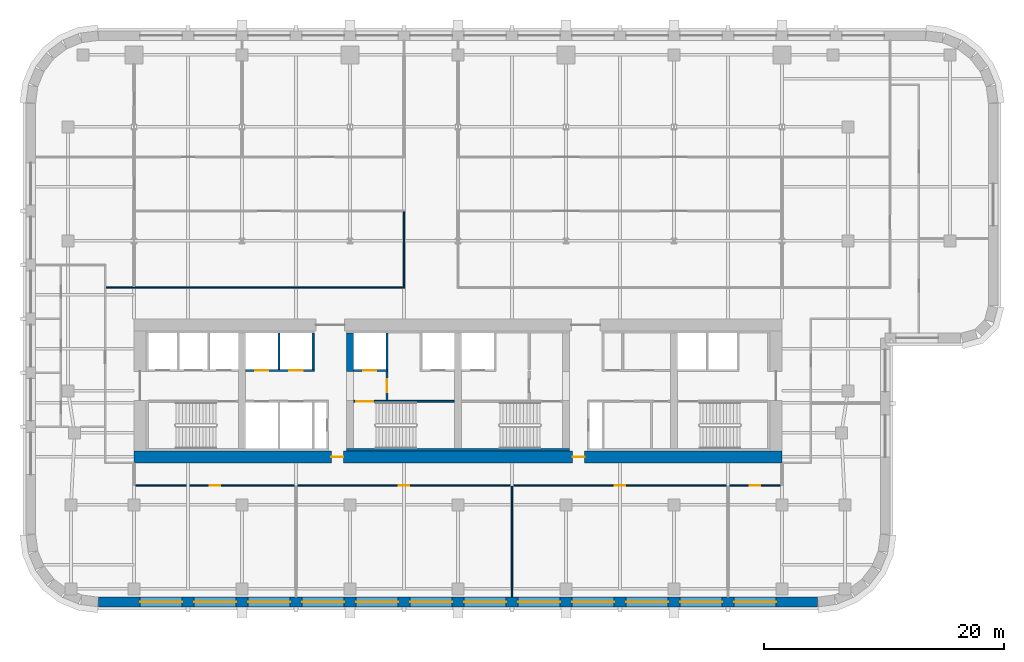
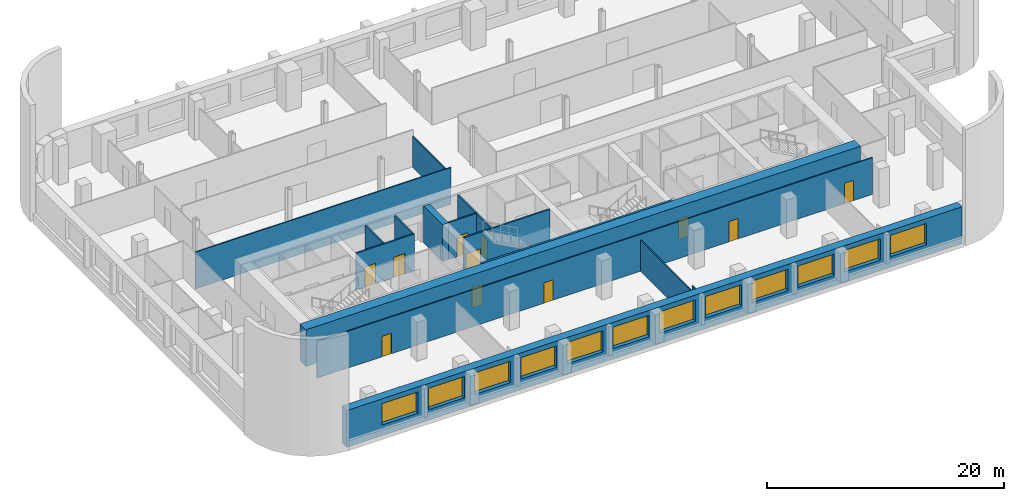
# One storey, part 4 of 10: 16 walls, 12 windows, 11 doors, 23 openings.
"""IFC4 building model written with IfcOpenShell, lengths in metres."""

import ifcopenshell
import ifcopenshell.guid

model = None  # the IFC model being written
_history = None  # IfcOwnerHistory: only IFC2X3 demands one
_inside = {}  # id of a spatial element -> (the spatial element, [elements in it])
_under = {}  # id of a project, library or spatial element -> (it, [spatial elements below it])
_declared = {}  # id of a project -> (the project, [libraries it declares])
_typed = {}  # id of a type object -> (the type object, [elements of that type])
_made_of = {}  # id of a material, layer set ... -> (it, [elements and type objects made of it])


def new_model(schema):
    """Start an empty IFC model of exactly this schema.

    Asked for "IFC4X3", IfcOpenShell would pick the latest addendum, in which some entities
    have other attributes; the version numbers below select the first issue.
    IFC2X3 requires an IfcOwnerHistory on every rooted entity: one is made here for all.
    """
    global model, _history
    if schema == "IFC4X3":
        model = ifcopenshell.file(schema_version=(4, 3, 0, 0))
    else:
        model = ifcopenshell.file(schema=schema)
    _inside.clear()
    _under.clear()
    _declared.clear()
    _typed.clear()
    _made_of.clear()
    _history = None
    if model.schema == "IFC2X3":
        org = make("IfcOrganization", Name="unknown")
        user = make(
            "IfcPersonAndOrganization",
            ThePerson=make("IfcPerson", FamilyName="unknown"),
            TheOrganization=org,
        )
        app = make(
            "IfcApplication",
            ApplicationDeveloper=org,
            Version="unknown",
            ApplicationFullName="unknown",
            ApplicationIdentifier="unknown",
        )
        _history = make(
            "IfcOwnerHistory",
            OwningUser=user,
            OwningApplication=app,
            ChangeAction="ADDED",
            CreationDate=0,
        )
    return model


def make(cls, **values):
    """One entity of the class cls with the attributes given. An attribute that is None is left unset."""
    return model.create_entity(
        cls, **{name: value for name, value in values.items() if value is not None}
    )


def rooted(cls, **values):
    """An entity with a GlobalId (a new one), such as an element, a storey or a relation."""
    return make(cls, GlobalId=ifcopenshell.guid.new(), OwnerHistory=_history, **values)


def si_unit(unit_type, name, prefix=None):
    """IfcSIUnit, for example si_unit("LENGTHUNIT", "METRE", prefix="MILLI")."""
    return make("IfcSIUnit", UnitType=unit_type, Prefix=prefix, Name=name)


def assignment(units):
    """IfcUnitAssignment: the units of a project."""
    return None if units is None else make("IfcUnitAssignment", Units=units)


def point(xyz):
    """IfcCartesianPoint."""
    return None if xyz is None else make("IfcCartesianPoint", Coordinates=xyz)


def direction(xyz):
    """IfcDirection."""
    return None if xyz is None else make("IfcDirection", DirectionRatios=xyz)


def frame(location, z_axis=None, x_axis=None):
    """IfcAxis2Placement3D, a coordinate frame: its origin and axes. An axis left out is left unset."""
    return make(
        "IfcAxis2Placement3D",
        Location=point(location),
        Axis=direction(z_axis),
        RefDirection=direction(x_axis),
    )


def frame_2d(location, x_axis=None):
    """IfcAxis2Placement2D, a coordinate frame in the plane: its origin and x axis."""
    return make(
        "IfcAxis2Placement2D", Location=point(location), RefDirection=direction(x_axis)
    )


def origin():
    """The frame at (0, 0, 0) with its axes left unset."""
    return frame((0.0, 0.0, 0.0))


def place(relative_to, where):
    """IfcLocalPlacement: puts the frame where relative to a parent placement (None: the world)."""
    return make(
        "IfcLocalPlacement", PlacementRelTo=relative_to, RelativePlacement=where
    )


def context(
    kind, dimensions, precision=None, world=None, true_north=None, identifier=None
):
    """IfcGeometricRepresentationContext, for example the 3D "Model" context."""
    return make(
        "IfcGeometricRepresentationContext",
        ContextIdentifier=identifier,
        ContextType=kind,
        CoordinateSpaceDimension=dimensions,
        Precision=precision,
        WorldCoordinateSystem=world,
        TrueNorth=true_north,
    )


def subcontext(parent, identifier, kind, view, scale=None):
    """IfcGeometricRepresentationSubContext, for example "Body" below "Model"."""
    return make(
        "IfcGeometricRepresentationSubContext",
        ContextIdentifier=identifier,
        ContextType=kind,
        ParentContext=parent,
        TargetScale=scale,
        TargetView=view,
    )


def project(units=None, contexts=None):
    """IfcProject with its units and contexts."""
    return rooted(
        "IfcProject",
        Name="project",
        RepresentationContexts=contexts,
        UnitsInContext=assignment(units),
    )


def spatial(cls, under=None, at=None, **own):
    """A site, building, storey or space (cls), placed at a placement, below another one or the project."""
    s = rooted(cls, ObjectPlacement=at, **own)
    if under is not None:
        _under.setdefault(under.id(), (under, []))[1].append(s)
    return s


def profile(cls, at=None, kind="AREA", **sizes):
    """A parametric profile (cls). Its sizes go by their IFC names, for example OverallWidth=200.0."""
    return make(cls, ProfileType=kind, Position=at, **sizes)


def rectangle(**sizes):
    """IfcRectangleProfileDef."""
    return profile("IfcRectangleProfileDef", **sizes)


def extrude(swept, where, along, depth):
    """IfcExtrudedAreaSolid: the profile swept, set in the frame where, extruded along a direction by depth."""
    return make(
        "IfcExtrudedAreaSolid",
        SweptArea=swept,
        Position=where,
        ExtrudedDirection=direction(along),
        Depth=depth,
    )


def shape(context_of_items, identifier, shape_type, items):
    """IfcShapeRepresentation: the items that make up one representation, for example the "Body"."""
    return make(
        "IfcShapeRepresentation",
        ContextOfItems=context_of_items,
        RepresentationIdentifier=identifier,
        RepresentationType=shape_type,
        Items=items,
    )


def material(Name=None, Category=None):
    """IfcMaterial."""
    return make("IfcMaterial", Name=Name, Category=Category)


def layer(
    of_material, thickness, ventilated=None, Name=None, Category=None, Priority=None
):
    """IfcMaterialLayer: one layer of a wall or slab, of a material (None: an air gap)."""
    return make(
        "IfcMaterialLayer",
        Material=of_material,
        LayerThickness=thickness,
        IsVentilated=ventilated,
        Name=Name,
        Category=Category,
        Priority=Priority,
    )


def layer_set(layers, Name=None):
    """IfcMaterialLayerSet."""
    return make("IfcMaterialLayerSet", MaterialLayers=layers, LayerSetName=Name)


def made_of(thing, what):
    """Note that an element or type object is made of a material, layer set ...; save() writes the relation."""
    if what is not None:
        _made_of.setdefault(what.id(), (what, []))[1].append(thing)
    return thing


def type_object(cls, material=None, **own):
    """A type object (cls), such as IfcWallType, which elements share."""
    return made_of(rooted(cls, **own), material)


def element(
    cls,
    number,
    at=None,
    inside=None,
    cuts=None,
    type_object=None,
    material=None,
    context=None,
    identifier="Body",
    shape_type=None,
    held_by="IfcProductDefinitionShape",
    body=None,
    shapes=None,
    **own,
):
    """One element of the class cls, such as IfcWall. Its Tag is "e" and its number.

    at: its placement. inside: the storey or other place that contains it. cuts: it is an
    opening in that element (IfcRelVoidsElement). A single representation is given by context,
    identifier, shape_type and body (its items); several are given by shapes. held_by: the class
    of the entity that holds the representations. save() writes the other relations.
    """
    e = rooted(cls, Tag="e%d" % number, ObjectPlacement=at, **own)
    if body is not None:
        shapes = [shape(context, identifier, shape_type, body)]
    if shapes is not None:
        e.Representation = make(held_by, Representations=shapes)
    if inside is not None:
        _inside.setdefault(inside.id(), (inside, []))[1].append(e)
    if cuts is not None:
        rooted(
            "IfcRelVoidsElement", RelatingBuildingElement=cuts, RelatedOpeningElement=e
        )
    if type_object is not None:
        _typed.setdefault(type_object.id(), (type_object, []))[1].append(e)
    return made_of(e, material)


def fill(opening, filler):
    """IfcRelFillsElement: the door or window that sits in an opening."""
    return rooted(
        "IfcRelFillsElement",
        RelatingOpeningElement=opening,
        RelatedBuildingElement=filler,
    )


def aggregate(whole, parts):
    """IfcRelAggregates: a whole, such as a stair, and the parts it consists of."""
    return rooted("IfcRelAggregates", RelatingObject=whole, RelatedObjects=parts)


def save(model, path):
    """Write the relations noted so far, then the file.

    IfcRelAggregates (storeys below a building ...), IfcRelContainedInSpatialStructure (elements
    in a storey), IfcRelDefinesByType, IfcRelAssociatesMaterial and IfcRelDeclares: one each for
    every whole, place, type object, material and project.
    """
    for whole, parts in _under.values():
        aggregate(whole, parts)
    for where, things in _inside.values():
        rooted(
            "IfcRelContainedInSpatialStructure",
            RelatedElements=things,
            RelatingStructure=where,
        )
    for kind, things in _typed.values():
        rooted("IfcRelDefinesByType", RelatedObjects=things, RelatingType=kind)
    for what, things in _made_of.values():
        rooted("IfcRelAssociatesMaterial", RelatedObjects=things, RelatingMaterial=what)
    for by, libraries in _declared.values():
        rooted("IfcRelDeclares", RelatingContext=by, RelatedDefinitions=libraries)
    model.write(path)


model = new_model("IFC4")

# Units and contexts
model_context = context("Model", 3, precision=1e-05, world=origin(), true_north=direction((0.0, 1.0)))
body_context = subcontext(model_context, "Body", "Model", "MODEL_VIEW")
ifc_project = project(units=[si_unit("LENGTHUNIT", "METRE"), si_unit("AREAUNIT", "SQUARE_METRE"), si_unit("VOLUMEUNIT", "CUBIC_METRE"), si_unit("PLANEANGLEUNIT", "RADIAN"), si_unit("MASSUNIT", "GRAM", prefix="KILO")], contexts=[model_context])

# Site, building, storey
site_placement = place(None, origin())
site = spatial("IfcSite", under=ifc_project, at=site_placement, CompositionType="ELEMENT")
building_placement = place(site_placement, origin())
building = spatial("IfcBuilding", under=site, at=building_placement, Name="Zellij Exchange Tower", CompositionType="ELEMENT")
storey_placement = place(building_placement, frame((0.0, 0.0, 120.5)))
storey = spatial("IfcBuildingStorey", under=building, at=storey_placement, Name="L26", CompositionType="ELEMENT", Elevation=120.5)

# Walls
ifc_material_1 = material(Name="Concrete C70/85", Category="concrete")
ifc_layer_1 = layer(ifc_material_1, 0.60009765625)
ifc_layer_set_1 = layer_set([ifc_layer_1], Name="Concrete C70/85")
wall_type_1 = type_object("IfcWallType", Name="CORE-CW 600 C70/85", PredefinedType="SHEAR", material=ifc_layer_set_1)
wall_1_placement = place(storey_placement, frame((-9.0, -6.375, 0.0), z_axis=(0.0, 0.0, 1.0), x_axis=(0.0, 1.0, 0.0)))
element("IfcWall", 1, at=wall_1_placement, inside=storey, type_object=wall_type_1, Name="Core cross wall pier x -9 b L26", PredefinedType="SHEAR", context=body_context, shape_type="SweptSolid", body=[
    extrude(rectangle(XDim=3.175048828125, YDim=0.60009765625, at=frame_2d((1.58740234375, 0.0))), origin(), (0.0, 0.0, 1.0), 3.800048828125),
])
ifc_material_2 = material(Name="Concrete C30/37", Category="concrete")
ifc_layer_2 = layer(ifc_material_2, 0.199951171875)
ifc_layer_set_2 = layer_set([ifc_layer_2], Name="Concrete C30/37")
wall_type_2 = type_object("IfcWallType", Name="CORE-LW 200 C30/37", PredefinedType="SHEAR", material=ifc_layer_set_2)
wall_2_placement = place(storey_placement, frame((-9.300048828125, -12.89990234375, 0.0), z_axis=(0.0, 0.0, 1.0), x_axis=(1.0, 0.0, 0.0)))
element("IfcWall", 2, at=wall_2_placement, inside=storey, type_object=wall_type_2, Name="Core wall lining rear.1 L26", PredefinedType="SHEAR", context=body_context, shape_type="SweptSolid", body=[
    extrude(rectangle(XDim=18.60009765625, YDim=0.199951171875, at=frame_2d((9.300048828125, 0.0))), origin(), (0.0, 0.0, 1.0), 3.800048828125),
])

# Wall, opening, door
ifc_material_3 = material(Name="Gypsum shaft wall system")
ifc_layer_3 = layer(ifc_material_3, 0.14990234375)
ifc_layer_set_3 = layer_set([ifc_layer_3], Name="Gypsum shaft wall system")
wall_type_3 = type_object("IfcWallType", Name="CORE-PW 150 Firefighting lobby wall", PredefinedType="PARTITIONING", material=ifc_layer_set_3)
wall_3_placement = place(storey_placement, frame((-5.925048828125, -8.800048828125, 0.0), z_axis=(0.0, 0.0, 1.0), x_axis=(0.0, 1.0, 0.0)))
wall_3 = element("IfcWall", 3, at=wall_3_placement, inside=storey, type_object=wall_type_3, Name="Firefighting lobby wall L26", PredefinedType="PARTITIONING", context=body_context, shape_type="SweptSolid", body=[
    extrude(rectangle(XDim=2.425048828125, YDim=0.14990234375, at=frame_2d((1.21240234375, 0.0))), origin(), (0.0, 0.0, 1.0), 3.800048828125),
])
opening_1_placement = place(wall_3_placement, frame((0.662109375, 0.0, 0.0)))
opening_1 = element("IfcOpeningElement", 4, at=opening_1_placement, cuts=wall_3, Name="Opening CA-14.15", PredefinedType="OPENING", context=body_context, shape_type="SweptSolid", body=[
    extrude(rectangle(XDim=1.10009765625, YDim=2.10009765625, at=frame_2d((0.550048828125, 1.050048828125))), frame((0.0, 0.0869140625, 0.0), z_axis=(0.0, -1.0, 0.0), x_axis=(1.0, 0.0, 0.0)), (0.0, 0.0, 1.0), 0.173828125),
])
ifc_material_4 = material(Name="Hollow metal fire door")
door_type_1 = type_object("IfcDoorType", Name="CORE-D F Firefighting lobby door 1100x2100 1 HR", OperationType="NOTDEFINED", PredefinedType="DOOR", material=ifc_material_4)
door_1_placement = place(opening_1_placement, origin())
door_1 = element("IfcDoor", 5, at=door_1_placement, inside=storey, type_object=door_type_1, Name="Firefighting lobby door CA-14.15", OperationType="SINGLE_SWING_LEFT", OverallHeight=2.10009765625, OverallWidth=1.10009765625, PredefinedType="DOOR", context=body_context, shape_type="SweptSolid", body=[
    extrude(rectangle(XDim=1.10009765625, YDim=2.10009765625, at=frame_2d((0.550048828125, 1.050048828125))), frame((0.0, 0.02490234375, 0.0), z_axis=(0.0, -1.0, 0.0), x_axis=(1.0, 0.0, 0.0)), (0.0, 0.0, 1.0), 0.050048828125),
])
fill(opening_1, door_1)

# Walls
ifc_layer_4 = layer(ifc_material_3, 0.14990234375)
ifc_layer_set_4 = layer_set([ifc_layer_4], Name="Gypsum shaft wall system")
wall_type_4 = type_object("IfcWallType", Name="CORE-PW 150 Lift shaft wall", PredefinedType="PARTITIONING", material=ifc_layer_set_4)
for number, where, z_axis, x_axis, name in (
    (6, (-12.074951171875, -6.22509765625, 0.0), (0.0, 0.0, 1.0), (0.0, 1.0, 0.0), "Lift shaft wall L26"),
    (7, (-14.925048828125, -6.22509765625, 0.0), (0.0, 0.0, 1.0), (0.0, 1.0, 0.0), "Lift shaft wall L26"),
    (8, (-5.925048828125, -6.22509765625, 0.0), (0.0, 0.0, 1.0), (0.0, 1.0, 0.0), "Lift shaft wall L26"),
):
    element("IfcWall", number, at=place(storey_placement, frame(where, z_axis=z_axis, x_axis=x_axis)), inside=storey, type_object=wall_type_4, Name=name, PredefinedType="PARTITIONING", context=body_context, shape_type="SweptSolid", body=[
        extrude(rectangle(XDim=3.025146484375, YDim=0.14990234375, at=frame_2d((1.5126953125, 0.0))), origin(), (0.0, 0.0, 1.0), 3.800048828125),
    ])

# Wall, openings, doors
wall_4_placement = place(storey_placement, frame((-17.699951171875, -6.300048828125, 0.0), z_axis=(0.0, 0.0, 1.0), x_axis=(1.0, 0.0, 0.0)))
wall_4 = element("IfcWall", 9, at=wall_4_placement, inside=storey, type_object=wall_type_4, Name="Lift shaft wall L26", PredefinedType="PARTITIONING", context=body_context, shape_type="SweptSolid", body=[
    extrude(rectangle(XDim=5.699951171875, YDim=0.14990234375, at=frame_2d((2.85009765625, 0.0))), origin(), (0.0, 0.0, 1.0), 3.800048828125),
])
opening_2_placement = place(wall_4_placement, frame((0.800048828125, 0.0, 0.0)))
opening_2 = element("IfcOpeningElement", 10, at=opening_2_placement, cuts=wall_4, Name="Opening CA-14.07", PredefinedType="OPENING", context=body_context, shape_type="SweptSolid", body=[
    extrude(rectangle(XDim=1.10009765625, YDim=2.10009765625, at=frame_2d((0.550048828125, 1.050048828125))), frame((0.0, 0.0869140625, 0.0), z_axis=(0.0, -1.0, 0.0), x_axis=(1.0, 0.0, 0.0)), (0.0, 0.0, 1.0), 0.173828125),
])
opening_3_placement = place(wall_4_placement, frame((3.64990234375, 0.0, 0.0)))
opening_3 = element("IfcOpeningElement", 11, at=opening_3_placement, cuts=wall_4, Name="Opening CA-14.09", PredefinedType="OPENING", context=body_context, shape_type="SweptSolid", body=[
    extrude(rectangle(XDim=1.10009765625, YDim=2.10009765625, at=frame_2d((0.550048828125, 1.050048828125))), frame((0.0, 0.0869140625, 0.0), z_axis=(0.0, -1.0, 0.0), x_axis=(1.0, 0.0, 0.0)), (0.0, 0.0, 1.0), 0.173828125),
])
door_type_2 = type_object("IfcDoorType", Name="CORE-D LD Lift landing door 1100x2100 1.5 HR", OperationType="NOTDEFINED", PredefinedType="DOOR", material=ifc_material_4)
door_2_placement = place(opening_2_placement, origin())
door_2 = element("IfcDoor", 12, at=door_2_placement, inside=storey, type_object=door_type_2, Name="Lift landing door CA-14.07", OperationType="SLIDING_TO_LEFT", OverallHeight=2.10009765625, OverallWidth=1.10009765625, PredefinedType="DOOR", context=body_context, shape_type="SweptSolid", body=[
    extrude(rectangle(XDim=1.10009765625, YDim=2.10009765625, at=frame_2d((0.550048828125, 1.050048828125))), frame((0.0, 0.02490234375, 0.0), z_axis=(0.0, -1.0, 0.0), x_axis=(1.0, 0.0, 0.0)), (0.0, 0.0, 1.0), 0.050048828125),
])
fill(opening_2, door_2)
door_3_placement = place(opening_3_placement, origin())
door_3 = element("IfcDoor", 13, at=door_3_placement, inside=storey, type_object=door_type_2, Name="Lift landing door CA-14.09", OperationType="SLIDING_TO_LEFT", OverallHeight=2.10009765625, OverallWidth=1.10009765625, PredefinedType="DOOR", context=body_context, shape_type="SweptSolid", body=[
    extrude(rectangle(XDim=1.10009765625, YDim=2.10009765625, at=frame_2d((0.550048828125, 1.050048828125))), frame((0.0, 0.02490234375, 0.0), z_axis=(0.0, -1.0, 0.0), x_axis=(1.0, 0.0, 0.0)), (0.0, 0.0, 1.0), 0.050048828125),
])
fill(opening_3, door_3)

# Wall, opening, door
wall_5_placement = place(storey_placement, frame((-8.699951171875, -6.300048828125, 0.0), z_axis=(0.0, 0.0, 1.0), x_axis=(1.0, 0.0, 0.0)))
wall_5 = element("IfcWall", 14, at=wall_5_placement, inside=storey, type_object=wall_type_4, Name="Lift shaft wall L26", PredefinedType="PARTITIONING", context=body_context, shape_type="SweptSolid", body=[
    extrude(rectangle(XDim=2.849853515625, YDim=0.14990234375, at=frame_2d((1.4248046875, 0.0))), origin(), (0.0, 0.0, 1.0), 3.800048828125),
])
opening_4_placement = place(wall_5_placement, frame((0.800048828125, 0.0, 0.0)))
opening_4 = element("IfcOpeningElement", 15, at=opening_4_placement, cuts=wall_5, Name="Opening CA-14.14", PredefinedType="OPENING", context=body_context, shape_type="SweptSolid", body=[
    extrude(rectangle(XDim=1.10009765625, YDim=2.10009765625, at=frame_2d((0.550048828125, 1.050048828125))), frame((0.0, 0.0869140625, 0.0), z_axis=(0.0, -1.0, 0.0), x_axis=(1.0, 0.0, 0.0)), (0.0, 0.0, 1.0), 0.173828125),
])
door_4_placement = place(opening_4_placement, origin())
door_4 = element("IfcDoor", 16, at=door_4_placement, inside=storey, type_object=door_type_2, Name="Lift landing door CA-14.14", OperationType="SLIDING_TO_RIGHT", OverallHeight=2.10009765625, OverallWidth=1.10009765625, PredefinedType="DOOR", context=body_context, shape_type="SweptSolid", body=[
    extrude(rectangle(XDim=1.10009765625, YDim=2.10009765625, at=frame_2d((0.550048828125, 1.050048828125))), frame((0.0, 0.02490234375, 0.0), z_axis=(0.0, -1.0, 0.0), x_axis=(1.0, 0.0, 0.0)), (0.0, 0.0, 1.0), 0.050048828125),
])
fill(opening_4, door_4)

# Wall, openings, doors
ifc_layer_5 = layer(ifc_material_1, 1.0)
ifc_layer_set_5 = layer_set([ifc_layer_5], Name="Concrete C70/85")
wall_type_5 = type_object("IfcWallType", Name="CORE-SW 1000 C70/85", PredefinedType="SHEAR", material=ifc_layer_set_5)
wall_6_placement = place(storey_placement, frame((-27.0, -13.5, 0.0), z_axis=(0.0, 0.0, 1.0), x_axis=(1.0, 0.0, 0.0)))
wall_6 = element("IfcWall", 17, at=wall_6_placement, inside=storey, type_object=wall_type_5, Name="Core shear wall rear L26", PredefinedType="SHEAR", context=body_context, shape_type="SweptSolid", body=[
    extrude(rectangle(XDim=54.0, YDim=1.0, at=frame_2d((27.0, 0.0))), origin(), (0.0, 0.0, 1.0), 3.800048828125),
])
opening_5_placement = place(wall_6_placement, frame((16.449951171875, 0.0, 0.0)))
opening_5 = element("IfcOpeningElement", 18, at=opening_5_placement, cuts=wall_6, Name="Opening CA-14.12", PredefinedType="OPENING", context=body_context, shape_type="SweptSolid", body=[
    extrude(rectangle(XDim=1.0, YDim=2.10009765625, at=frame_2d((0.5, 1.050048828125))), frame((0.0, 0.511962890625, 0.0), z_axis=(0.0, -1.0, 0.0), x_axis=(1.0, 0.0, 0.0)), (0.0, 0.0, 1.0), 1.02392578125),
])
opening_6_placement = place(wall_6_placement, frame((36.550048828125, 0.0, 0.0)))
opening_6 = element("IfcOpeningElement", 19, at=opening_6_placement, cuts=wall_6, Name="Opening CA-14.20", PredefinedType="OPENING", context=body_context, shape_type="SweptSolid", body=[
    extrude(rectangle(XDim=1.0, YDim=2.10009765625, at=frame_2d((0.5, 1.050048828125))), frame((0.0, 0.511962890625, 0.0), z_axis=(0.0, -1.0, 0.0), x_axis=(1.0, 0.0, 0.0)), (0.0, 0.0, 1.0), 1.02392578125),
])
door_type_3 = type_object("IfcDoorType", Name="CORE-D CR Core rear door 1000x2100 20 MIN", OperationType="NOTDEFINED", PredefinedType="DOOR", material=ifc_material_4)
door_5_placement = place(opening_5_placement, origin())
door_5 = element("IfcDoor", 20, at=door_5_placement, inside=storey, type_object=door_type_3, Name="Core rear door CA-14.12", OperationType="SINGLE_SWING_RIGHT", OverallHeight=2.10009765625, OverallWidth=1.0, PredefinedType="DOOR", context=body_context, shape_type="SweptSolid", body=[
    extrude(rectangle(XDim=1.0, YDim=2.10009765625, at=frame_2d((0.5, 1.050048828125))), frame((0.0, 0.02490234375, 0.0), z_axis=(0.0, -1.0, 0.0), x_axis=(1.0, 0.0, 0.0)), (0.0, 0.0, 1.0), 0.050048828125),
])
fill(opening_5, door_5)
door_6_placement = place(opening_6_placement, origin())
door_6 = element("IfcDoor", 21, at=door_6_placement, inside=storey, type_object=door_type_3, Name="Core rear door CA-14.20", OperationType="SINGLE_SWING_LEFT", OverallHeight=2.10009765625, OverallWidth=1.0, PredefinedType="DOOR", context=body_context, shape_type="SweptSolid", body=[
    extrude(rectangle(XDim=1.0, YDim=2.10009765625, at=frame_2d((0.5, 1.050048828125))), frame((0.0, 0.02490234375, 0.0), z_axis=(0.0, -1.0, 0.0), x_axis=(1.0, 0.0, 0.0)), (0.0, 0.0, 1.0), 0.050048828125),
])
fill(opening_6, door_6)

# Wall, opening, door
ifc_layer_6 = layer(ifc_material_1, 0.14990234375)
ifc_layer_set_6 = layer_set([ifc_layer_6], Name="Concrete C70/85")
wall_type_6 = type_object("IfcWallType", Name="CORE-SWS 150 C70/85", PredefinedType="SHEAR", material=ifc_layer_set_6)
wall_7_placement = place(storey_placement, frame((-8.699951171875, -8.875, 0.0), z_axis=(0.0, 0.0, 1.0), x_axis=(1.0, 0.0, 0.0)))
wall_7 = element("IfcWall", 22, at=wall_7_placement, inside=storey, type_object=wall_type_6, Name="Stair enclosure wall L26", PredefinedType="SHEAR", context=body_context, shape_type="SweptSolid", body=[
    extrude(rectangle(XDim=8.39990234375, YDim=0.14990234375, at=frame_2d((4.199951171875, 0.0))), origin(), (0.0, 0.0, 1.0), 3.800048828125),
])
opening_7_placement = place(wall_7_placement, frame((0.22509765625, 0.0, 0.0)))
opening_7 = element("IfcOpeningElement", 23, at=opening_7_placement, cuts=wall_7, Name="Opening CA-14.13", PredefinedType="OPENING", context=body_context, shape_type="SweptSolid", body=[
    extrude(rectangle(XDim=1.39990234375, YDim=2.10009765625, at=frame_2d((0.699951171875, 1.050048828125))), frame((0.0, 0.0869140625, 0.0), z_axis=(0.0, -1.0, 0.0), x_axis=(1.0, 0.0, 0.0)), (0.0, 0.0, 1.0), 0.173828125),
])
door_type_4 = type_object("IfcDoorType", Name="CORE-D SD Stair door 1400x2100 1.5 HR", OperationType="NOTDEFINED", PredefinedType="DOOR", material=ifc_material_4)
door_7_placement = place(opening_7_placement, origin())
door_7 = element("IfcDoor", 24, at=door_7_placement, inside=storey, type_object=door_type_4, Name="Stair door CA-14.13", OperationType="DOUBLE_DOOR_SINGLE_SWING", OverallHeight=2.10009765625, OverallWidth=1.39990234375, PredefinedType="DOOR", context=body_context, shape_type="SweptSolid", body=[
    extrude(rectangle(XDim=1.39990234375, YDim=2.10009765625, at=frame_2d((0.699951171875, 1.050048828125))), frame((0.0, 0.02490234375, 0.0), z_axis=(0.0, -1.0, 0.0), x_axis=(1.0, 0.0, 0.0)), (0.0, 0.0, 1.0), 0.050048828125),
])
fill(opening_7, door_7)

# Wall, openings, windows
ifc_material_5 = material(Name="Precast concrete C40/50", Category="concrete")
ifc_layer_7 = layer(ifc_material_5, 0.800048828125)
ifc_layer_set_7 = layer_set([ifc_layer_7], Name="Precast concrete C40/50")
wall_type_7 = type_object("IfcWallType", Name="ENV-EW1 Precast stone-piered wall 800", PredefinedType="SOLIDWALL", material=ifc_layer_set_7)
wall_8_placement = place(storey_placement, frame((-29.947509765625, -25.60009765625, 0.0), z_axis=(0.0, 0.0, 1.0), x_axis=(1.0, 0.0, 0.0)))
wall_8 = element("IfcWall", 25, at=wall_8_placement, inside=storey, type_object=wall_type_7, Name="fac.L26.00", PredefinedType="SOLIDWALL", context=body_context, shape_type="SweptSolid", body=[
    extrude(rectangle(XDim=59.89501953125, YDim=0.800048828125, at=frame_2d((29.947509765625, 0.0))), origin(), (0.0, 0.0, 1.0), 3.800048828125),
])
opening_8_placement = place(wall_8_placement, frame((3.447509765625, 0.0, 1.10009765625)))
opening_8 = element("IfcOpeningElement", 26, at=opening_8_placement, cuts=wall_8, Name="Opening FZ2.01", PredefinedType="OPENING", context=body_context, shape_type="SweptSolid", body=[
    extrude(rectangle(XDim=3.5, YDim=2.199951171875, at=frame_2d((1.75, 1.10009765625))), frame((0.0, 0.412109375, 0.0), z_axis=(0.0, -1.0, 0.0), x_axis=(1.0, 0.0, 0.0)), (0.0, 0.0, 1.0), 0.823974609375),
])
opening_9_placement = place(wall_8_placement, frame((7.947509765625, 0.0, 1.10009765625)))
opening_9 = element("IfcOpeningElement", 27, at=opening_9_placement, cuts=wall_8, Name="Opening FZ2.02", PredefinedType="OPENING", context=body_context, shape_type="SweptSolid", body=[
    extrude(rectangle(XDim=3.5, YDim=2.199951171875, at=frame_2d((1.75, 1.10009765625))), frame((0.0, 0.412109375, 0.0), z_axis=(0.0, -1.0, 0.0), x_axis=(1.0, 0.0, 0.0)), (0.0, 0.0, 1.0), 0.823974609375),
])
opening_10_placement = place(wall_8_placement, frame((12.447509765625, 0.0, 1.10009765625)))
opening_10 = element("IfcOpeningElement", 28, at=opening_10_placement, cuts=wall_8, Name="Opening FZ2.03", PredefinedType="OPENING", context=body_context, shape_type="SweptSolid", body=[
    extrude(rectangle(XDim=3.5, YDim=2.199951171875, at=frame_2d((1.75, 1.10009765625))), frame((0.0, 0.412109375, 0.0), z_axis=(0.0, -1.0, 0.0), x_axis=(1.0, 0.0, 0.0)), (0.0, 0.0, 1.0), 0.823974609375),
])
opening_11_placement = place(wall_8_placement, frame((16.947509765625, 0.0, 1.10009765625)))
opening_11 = element("IfcOpeningElement", 29, at=opening_11_placement, cuts=wall_8, Name="Opening FZ2.04", PredefinedType="OPENING", context=body_context, shape_type="SweptSolid", body=[
    extrude(rectangle(XDim=3.5, YDim=2.199951171875, at=frame_2d((1.75, 1.10009765625))), frame((0.0, 0.412109375, 0.0), z_axis=(0.0, -1.0, 0.0), x_axis=(1.0, 0.0, 0.0)), (0.0, 0.0, 1.0), 0.823974609375),
])
opening_12_placement = place(wall_8_placement, frame((21.447509765625, 0.0, 1.10009765625)))
opening_12 = element("IfcOpeningElement", 30, at=opening_12_placement, cuts=wall_8, Name="Opening FZ2.05", PredefinedType="OPENING", context=body_context, shape_type="SweptSolid", body=[
    extrude(rectangle(XDim=3.5, YDim=2.199951171875, at=frame_2d((1.75, 1.10009765625))), frame((0.0, 0.412109375, 0.0), z_axis=(0.0, -1.0, 0.0), x_axis=(1.0, 0.0, 0.0)), (0.0, 0.0, 1.0), 0.823974609375),
])
opening_13_placement = place(wall_8_placement, frame((25.947509765625, 0.0, 1.10009765625)))
opening_13 = element("IfcOpeningElement", 31, at=opening_13_placement, cuts=wall_8, Name="Opening FZ2.06", PredefinedType="OPENING", context=body_context, shape_type="SweptSolid", body=[
    extrude(rectangle(XDim=3.5, YDim=2.199951171875, at=frame_2d((1.75, 1.10009765625))), frame((0.0, 0.412109375, 0.0), z_axis=(0.0, -1.0, 0.0), x_axis=(1.0, 0.0, 0.0)), (0.0, 0.0, 1.0), 0.823974609375),
])
opening_14_placement = place(wall_8_placement, frame((30.447509765625, 0.0, 1.10009765625)))
opening_14 = element("IfcOpeningElement", 32, at=opening_14_placement, cuts=wall_8, Name="Opening FZ2.07", PredefinedType="OPENING", context=body_context, shape_type="SweptSolid", body=[
    extrude(rectangle(XDim=3.5, YDim=2.199951171875, at=frame_2d((1.75, 1.10009765625))), frame((0.0, 0.412109375, 0.0), z_axis=(0.0, -1.0, 0.0), x_axis=(1.0, 0.0, 0.0)), (0.0, 0.0, 1.0), 0.823974609375),
])
opening_15_placement = place(wall_8_placement, frame((34.947509765625, 0.0, 1.10009765625)))
opening_15 = element("IfcOpeningElement", 33, at=opening_15_placement, cuts=wall_8, Name="Opening FZ2.08", PredefinedType="OPENING", context=body_context, shape_type="SweptSolid", body=[
    extrude(rectangle(XDim=3.5, YDim=2.199951171875, at=frame_2d((1.75, 1.10009765625))), frame((0.0, 0.412109375, 0.0), z_axis=(0.0, -1.0, 0.0), x_axis=(1.0, 0.0, 0.0)), (0.0, 0.0, 1.0), 0.823974609375),
])
opening_16_placement = place(wall_8_placement, frame((39.447509765625, 0.0, 1.10009765625)))
opening_16 = element("IfcOpeningElement", 34, at=opening_16_placement, cuts=wall_8, Name="Opening FZ2.09", PredefinedType="OPENING", context=body_context, shape_type="SweptSolid", body=[
    extrude(rectangle(XDim=3.5, YDim=2.199951171875, at=frame_2d((1.75, 1.10009765625))), frame((0.0, 0.412109375, 0.0), z_axis=(0.0, -1.0, 0.0), x_axis=(1.0, 0.0, 0.0)), (0.0, 0.0, 1.0), 0.823974609375),
])
opening_17_placement = place(wall_8_placement, frame((43.947509765625, 0.0, 1.10009765625)))
opening_17 = element("IfcOpeningElement", 35, at=opening_17_placement, cuts=wall_8, Name="Opening FZ2.10", PredefinedType="OPENING", context=body_context, shape_type="SweptSolid", body=[
    extrude(rectangle(XDim=3.5, YDim=2.199951171875, at=frame_2d((1.75, 1.10009765625))), frame((0.0, 0.412109375, 0.0), z_axis=(0.0, -1.0, 0.0), x_axis=(1.0, 0.0, 0.0)), (0.0, 0.0, 1.0), 0.823974609375),
])
opening_18_placement = place(wall_8_placement, frame((48.447509765625, 0.0, 1.10009765625)))
opening_18 = element("IfcOpeningElement", 36, at=opening_18_placement, cuts=wall_8, Name="Opening FZ2.11", PredefinedType="OPENING", context=body_context, shape_type="SweptSolid", body=[
    extrude(rectangle(XDim=3.5, YDim=2.199951171875, at=frame_2d((1.75, 1.10009765625))), frame((0.0, 0.412109375, 0.0), z_axis=(0.0, -1.0, 0.0), x_axis=(1.0, 0.0, 0.0)), (0.0, 0.0, 1.0), 0.823974609375),
])
opening_19_placement = place(wall_8_placement, frame((52.947509765625, 0.0, 1.10009765625)))
opening_19 = element("IfcOpeningElement", 37, at=opening_19_placement, cuts=wall_8, Name="Opening FZ2.12", PredefinedType="OPENING", context=body_context, shape_type="SweptSolid", body=[
    extrude(rectangle(XDim=3.5, YDim=2.199951171875, at=frame_2d((1.75, 1.10009765625))), frame((0.0, 0.412109375, 0.0), z_axis=(0.0, -1.0, 0.0), x_axis=(1.0, 0.0, 0.0)), (0.0, 0.0, 1.0), 0.823974609375),
])
ifc_material_6 = material(Name="Aluminium frame with insulating glass", Category="aluminium")
window_type = type_object("IfcWindowType", Name="ENV-W7 Window 3500x2200", PartitioningType="SINGLE_PANEL", PredefinedType="WINDOW", material=ifc_material_6)
window_1_placement = place(opening_8_placement, origin())
window_1 = element("IfcWindow", 38, at=window_1_placement, inside=storey, type_object=window_type, Name="Window FZ2.01", OverallHeight=2.199951171875, OverallWidth=3.5, PartitioningType="SINGLE_PANEL", PredefinedType="WINDOW", context=body_context, shape_type="SweptSolid", body=[
    extrude(rectangle(XDim=3.5, YDim=2.199951171875, at=frame_2d((1.75, 1.10009765625))), frame((0.0, 0.030029296875, 0.0), z_axis=(0.0, -1.0, 0.0), x_axis=(1.0, 0.0, 0.0)), (0.0, 0.0, 1.0), 0.06005859375),
])
fill(opening_8, window_1)
window_2_placement = place(opening_9_placement, origin())
window_2 = element("IfcWindow", 39, at=window_2_placement, inside=storey, type_object=window_type, Name="Window FZ2.02", OverallHeight=2.199951171875, OverallWidth=3.5, PartitioningType="SINGLE_PANEL", PredefinedType="WINDOW", context=body_context, shape_type="SweptSolid", body=[
    extrude(rectangle(XDim=3.5, YDim=2.199951171875, at=frame_2d((1.75, 1.10009765625))), frame((0.0, 0.030029296875, 0.0), z_axis=(0.0, -1.0, 0.0), x_axis=(1.0, 0.0, 0.0)), (0.0, 0.0, 1.0), 0.06005859375),
])
fill(opening_9, window_2)
window_3_placement = place(opening_10_placement, origin())
window_3 = element("IfcWindow", 40, at=window_3_placement, inside=storey, type_object=window_type, Name="Window FZ2.03", OverallHeight=2.199951171875, OverallWidth=3.5, PartitioningType="SINGLE_PANEL", PredefinedType="WINDOW", context=body_context, shape_type="SweptSolid", body=[
    extrude(rectangle(XDim=3.5, YDim=2.199951171875, at=frame_2d((1.75, 1.10009765625))), frame((0.0, 0.030029296875, 0.0), z_axis=(0.0, -1.0, 0.0), x_axis=(1.0, 0.0, 0.0)), (0.0, 0.0, 1.0), 0.06005859375),
])
fill(opening_10, window_3)
window_4_placement = place(opening_11_placement, origin())
window_4 = element("IfcWindow", 41, at=window_4_placement, inside=storey, type_object=window_type, Name="Window FZ2.04", OverallHeight=2.199951171875, OverallWidth=3.5, PartitioningType="SINGLE_PANEL", PredefinedType="WINDOW", context=body_context, shape_type="SweptSolid", body=[
    extrude(rectangle(XDim=3.5, YDim=2.199951171875, at=frame_2d((1.75, 1.10009765625))), frame((0.0, 0.030029296875, 0.0), z_axis=(0.0, -1.0, 0.0), x_axis=(1.0, 0.0, 0.0)), (0.0, 0.0, 1.0), 0.06005859375),
])
fill(opening_11, window_4)
window_5_placement = place(opening_12_placement, origin())
window_5 = element("IfcWindow", 42, at=window_5_placement, inside=storey, type_object=window_type, Name="Window FZ2.05", OverallHeight=2.199951171875, OverallWidth=3.5, PartitioningType="SINGLE_PANEL", PredefinedType="WINDOW", context=body_context, shape_type="SweptSolid", body=[
    extrude(rectangle(XDim=3.5, YDim=2.199951171875, at=frame_2d((1.75, 1.10009765625))), frame((0.0, 0.030029296875, 0.0), z_axis=(0.0, -1.0, 0.0), x_axis=(1.0, 0.0, 0.0)), (0.0, 0.0, 1.0), 0.06005859375),
])
fill(opening_12, window_5)
window_6_placement = place(opening_13_placement, origin())
window_6 = element("IfcWindow", 43, at=window_6_placement, inside=storey, type_object=window_type, Name="Window FZ2.06", OverallHeight=2.199951171875, OverallWidth=3.5, PartitioningType="SINGLE_PANEL", PredefinedType="WINDOW", context=body_context, shape_type="SweptSolid", body=[
    extrude(rectangle(XDim=3.5, YDim=2.199951171875, at=frame_2d((1.75, 1.10009765625))), frame((0.0, 0.030029296875, 0.0), z_axis=(0.0, -1.0, 0.0), x_axis=(1.0, 0.0, 0.0)), (0.0, 0.0, 1.0), 0.06005859375),
])
fill(opening_13, window_6)
window_7_placement = place(opening_14_placement, origin())
window_7 = element("IfcWindow", 44, at=window_7_placement, inside=storey, type_object=window_type, Name="Window FZ2.07", OverallHeight=2.199951171875, OverallWidth=3.5, PartitioningType="SINGLE_PANEL", PredefinedType="WINDOW", context=body_context, shape_type="SweptSolid", body=[
    extrude(rectangle(XDim=3.5, YDim=2.199951171875, at=frame_2d((1.75, 1.10009765625))), frame((0.0, 0.030029296875, 0.0), z_axis=(0.0, -1.0, 0.0), x_axis=(1.0, 0.0, 0.0)), (0.0, 0.0, 1.0), 0.06005859375),
])
fill(opening_14, window_7)
window_8_placement = place(opening_15_placement, origin())
window_8 = element("IfcWindow", 45, at=window_8_placement, inside=storey, type_object=window_type, Name="Window FZ2.08", OverallHeight=2.199951171875, OverallWidth=3.5, PartitioningType="SINGLE_PANEL", PredefinedType="WINDOW", context=body_context, shape_type="SweptSolid", body=[
    extrude(rectangle(XDim=3.5, YDim=2.199951171875, at=frame_2d((1.75, 1.10009765625))), frame((0.0, 0.030029296875, 0.0), z_axis=(0.0, -1.0, 0.0), x_axis=(1.0, 0.0, 0.0)), (0.0, 0.0, 1.0), 0.06005859375),
])
fill(opening_15, window_8)
window_9_placement = place(opening_16_placement, origin())
window_9 = element("IfcWindow", 46, at=window_9_placement, inside=storey, type_object=window_type, Name="Window FZ2.09", OverallHeight=2.199951171875, OverallWidth=3.5, PartitioningType="SINGLE_PANEL", PredefinedType="WINDOW", context=body_context, shape_type="SweptSolid", body=[
    extrude(rectangle(XDim=3.5, YDim=2.199951171875, at=frame_2d((1.75, 1.10009765625))), frame((0.0, 0.030029296875, 0.0), z_axis=(0.0, -1.0, 0.0), x_axis=(1.0, 0.0, 0.0)), (0.0, 0.0, 1.0), 0.06005859375),
])
fill(opening_16, window_9)
window_10_placement = place(opening_17_placement, origin())
window_10 = element("IfcWindow", 47, at=window_10_placement, inside=storey, type_object=window_type, Name="Window FZ2.10", OverallHeight=2.199951171875, OverallWidth=3.5, PartitioningType="SINGLE_PANEL", PredefinedType="WINDOW", context=body_context, shape_type="SweptSolid", body=[
    extrude(rectangle(XDim=3.5, YDim=2.199951171875, at=frame_2d((1.75, 1.10009765625))), frame((0.0, 0.030029296875, 0.0), z_axis=(0.0, -1.0, 0.0), x_axis=(1.0, 0.0, 0.0)), (0.0, 0.0, 1.0), 0.06005859375),
])
fill(opening_17, window_10)
window_11_placement = place(opening_18_placement, origin())
window_11 = element("IfcWindow", 48, at=window_11_placement, inside=storey, type_object=window_type, Name="Window FZ2.11", OverallHeight=2.199951171875, OverallWidth=3.5, PartitioningType="SINGLE_PANEL", PredefinedType="WINDOW", context=body_context, shape_type="SweptSolid", body=[
    extrude(rectangle(XDim=3.5, YDim=2.199951171875, at=frame_2d((1.75, 1.10009765625))), frame((0.0, 0.030029296875, 0.0), z_axis=(0.0, -1.0, 0.0), x_axis=(1.0, 0.0, 0.0)), (0.0, 0.0, 1.0), 0.06005859375),
])
fill(opening_18, window_11)
window_12_placement = place(opening_19_placement, origin())
window_12 = element("IfcWindow", 49, at=window_12_placement, inside=storey, type_object=window_type, Name="Window FZ2.12", OverallHeight=2.199951171875, OverallWidth=3.5, PartitioningType="SINGLE_PANEL", PredefinedType="WINDOW", context=body_context, shape_type="SweptSolid", body=[
    extrude(rectangle(XDim=3.5, YDim=2.199951171875, at=frame_2d((1.75, 1.10009765625))), frame((0.0, 0.030029296875, 0.0), z_axis=(0.0, -1.0, 0.0), x_axis=(1.0, 0.0, 0.0)), (0.0, 0.0, 1.0), 0.06005859375),
])
fill(opening_19, window_12)

# Walls
ifc_material_7 = material(Name="Gypsum board partition on steel studs", Category="steel")
ifc_layer_8 = layer(ifc_material_7, 0.10009765625)
ifc_layer_set_8 = layer_set([ifc_layer_8], Name="Gypsum board partition on steel studs")
wall_type_8 = type_object("IfcWallType", Name="FIT-PARTITION-100", PredefinedType="PARTITIONING", material=ifc_layer_set_8)
wall_9_placement = place(storey_placement, frame((4.5, -25.199951171875, 0.0), z_axis=(0.0, 0.0, 1.0), x_axis=(0.0, 1.0, 0.0)))
element("IfcWall", 50, at=wall_9_placement, inside=storey, type_object=wall_type_8, Name="FIT-PARTITION-100 003", PredefinedType="PARTITIONING", context=body_context, shape_type="SweptSolid", body=[
    extrude(rectangle(XDim=0.58544921875, YDim=0.10009765625, at=frame_2d((0.292724609375, 0.0))), origin(), (0.0, 0.0, 1.0), 3.800048828125),
])
wall_10_placement = place(storey_placement, frame((4.5, -24.614501953125, 0.0), z_axis=(0.0, 0.0, 1.0), x_axis=(0.0, 1.0, 0.0)))
element("IfcWall", 51, at=wall_10_placement, inside=storey, type_object=wall_type_8, Name="FIT-PARTITION-100 004", PredefinedType="PARTITIONING", context=body_context, shape_type="SweptSolid", body=[
    extrude(rectangle(XDim=8.66455078125, YDim=0.10009765625, at=frame_2d((4.332275390625, 0.0))), origin(), (0.0, 0.0, 1.0), 3.197998046875),
])

# Wall, openings, doors
wall_11_placement = place(storey_placement, frame((-27.050048828125, -15.89990234375, 0.0), z_axis=(0.0, 0.0, 1.0), x_axis=(1.0, 0.0, 0.0)))
wall_11 = element("IfcWall", 52, at=wall_11_placement, inside=storey, type_object=wall_type_8, Name="FIT-PARTITION-100 007", PredefinedType="PARTITIONING", context=body_context, shape_type="SweptSolid", body=[
    extrude(rectangle(XDim=54.10009765625, YDim=0.10009765625, at=frame_2d((27.050048828125, 0.0))), origin(), (0.0, 0.0, 1.0), 3.800048828125),
])
opening_20_placement = place(wall_11_placement, frame((6.35009765625, 0.0, 0.0)))
opening_20 = element("IfcOpeningElement", 53, at=opening_20_placement, cuts=wall_11, Name="Opening TF.01", PredefinedType="OPENING", context=body_context, shape_type="SweptSolid", body=[
    extrude(rectangle(XDim=0.89990234375, YDim=2.10009765625, at=frame_2d((0.449951171875, 1.050048828125))), frame((0.0, 0.06201171875, 0.0), z_axis=(0.0, -1.0, 0.0), x_axis=(1.0, 0.0, 0.0)), (0.0, 0.0, 1.0), 0.1240234375),
])
opening_21_placement = place(wall_11_placement, frame((22.10009765625, 0.0, 0.0)))
opening_21 = element("IfcOpeningElement", 54, at=opening_21_placement, cuts=wall_11, Name="Opening TF.02", PredefinedType="OPENING", context=body_context, shape_type="SweptSolid", body=[
    extrude(rectangle(XDim=0.89990234375, YDim=2.10009765625, at=frame_2d((0.449951171875, 1.050048828125))), frame((0.0, 0.06201171875, 0.0), z_axis=(0.0, -1.0, 0.0), x_axis=(1.0, 0.0, 0.0)), (0.0, 0.0, 1.0), 0.1240234375),
])
opening_22_placement = place(wall_11_placement, frame((40.10009765625, 0.0, 0.0)))
opening_22 = element("IfcOpeningElement", 55, at=opening_22_placement, cuts=wall_11, Name="Opening TF.03", PredefinedType="OPENING", context=body_context, shape_type="SweptSolid", body=[
    extrude(rectangle(XDim=0.89990234375, YDim=2.10009765625, at=frame_2d((0.449951171875, 1.050048828125))), frame((0.0, 0.06201171875, 0.0), z_axis=(0.0, -1.0, 0.0), x_axis=(1.0, 0.0, 0.0)), (0.0, 0.0, 1.0), 0.1240234375),
])
opening_23_placement = place(wall_11_placement, frame((51.35009765625, 0.0, 0.0)))
opening_23 = element("IfcOpeningElement", 56, at=opening_23_placement, cuts=wall_11, Name="Opening TF.04", PredefinedType="OPENING", context=body_context, shape_type="SweptSolid", body=[
    extrude(rectangle(XDim=0.89990234375, YDim=2.10009765625, at=frame_2d((0.449951171875, 1.050048828125))), frame((0.0, 0.06201171875, 0.0), z_axis=(0.0, -1.0, 0.0), x_axis=(1.0, 0.0, 0.0)), (0.0, 0.0, 1.0), 0.1240234375),
])
ifc_material_8 = material(Name="Timber door set", Category="wood")
door_type_5 = type_object("IfcDoorType", Name="FIT-D1-ROOM-900X2100", OperationType="SINGLE_SWING_LEFT", PredefinedType="DOOR", material=ifc_material_8)
door_8_placement = place(opening_20_placement, origin())
door_8 = element("IfcDoor", 57, at=door_8_placement, inside=storey, type_object=door_type_5, Name="Door TF.01", OperationType="SINGLE_SWING_LEFT", OverallHeight=2.10009765625, OverallWidth=0.89990234375, PredefinedType="DOOR", context=body_context, shape_type="SweptSolid", body=[
    extrude(rectangle(XDim=0.89990234375, YDim=2.10009765625, at=frame_2d((0.449951171875, 1.050048828125))), frame((0.0, 0.02490234375, 0.0), z_axis=(0.0, -1.0, 0.0), x_axis=(1.0, 0.0, 0.0)), (0.0, 0.0, 1.0), 0.050048828125),
])
fill(opening_20, door_8)
door_9_placement = place(opening_21_placement, origin())
door_9 = element("IfcDoor", 58, at=door_9_placement, inside=storey, type_object=door_type_5, Name="Door TF.02", OperationType="SINGLE_SWING_LEFT", OverallHeight=2.10009765625, OverallWidth=0.89990234375, PredefinedType="DOOR", context=body_context, shape_type="SweptSolid", body=[
    extrude(rectangle(XDim=0.89990234375, YDim=2.10009765625, at=frame_2d((0.449951171875, 1.050048828125))), frame((0.0, 0.02490234375, 0.0), z_axis=(0.0, -1.0, 0.0), x_axis=(1.0, 0.0, 0.0)), (0.0, 0.0, 1.0), 0.050048828125),
])
fill(opening_21, door_9)
door_10_placement = place(opening_22_placement, origin())
door_10 = element("IfcDoor", 59, at=door_10_placement, inside=storey, type_object=door_type_5, Name="Door TF.03", OperationType="SINGLE_SWING_LEFT", OverallHeight=2.10009765625, OverallWidth=0.89990234375, PredefinedType="DOOR", context=body_context, shape_type="SweptSolid", body=[
    extrude(rectangle(XDim=0.89990234375, YDim=2.10009765625, at=frame_2d((0.449951171875, 1.050048828125))), frame((0.0, 0.02490234375, 0.0), z_axis=(0.0, -1.0, 0.0), x_axis=(1.0, 0.0, 0.0)), (0.0, 0.0, 1.0), 0.050048828125),
])
fill(opening_22, door_10)
door_11_placement = place(opening_23_placement, origin())
door_11 = element("IfcDoor", 60, at=door_11_placement, inside=storey, type_object=door_type_5, Name="Door TF.04", OperationType="SINGLE_SWING_LEFT", OverallHeight=2.10009765625, OverallWidth=0.89990234375, PredefinedType="DOOR", context=body_context, shape_type="SweptSolid", body=[
    extrude(rectangle(XDim=0.89990234375, YDim=2.10009765625, at=frame_2d((0.449951171875, 1.050048828125))), frame((0.0, 0.02490234375, 0.0), z_axis=(0.0, -1.0, 0.0), x_axis=(1.0, 0.0, 0.0)), (0.0, 0.0, 1.0), 0.050048828125),
])
fill(opening_23, door_11)

# Walls
wall_12_placement = place(storey_placement, frame((-29.35009765625, 0.60009765625, 0.0), z_axis=(0.0, 0.0, 1.0), x_axis=(1.0, 0.0, 0.0)))
element("IfcWall", 61, at=wall_12_placement, inside=storey, type_object=wall_type_8, Name="FIT-PARTITION-100 023", PredefinedType="PARTITIONING", context=body_context, shape_type="SweptSolid", body=[
    extrude(rectangle(XDim=24.900146484375, YDim=0.10009765625, at=frame_2d((12.4501953125, 0.0))), origin(), (0.0, 0.0, 1.0), 3.800048828125),
])
wall_13_placement = place(storey_placement, frame((-4.5, 0.64990234375, 0.0), z_axis=(0.0, 0.0, 1.0), x_axis=(0.0, 1.0, 0.0)))
element("IfcWall", 62, at=wall_13_placement, inside=storey, type_object=wall_type_8, Name="FIT-PARTITION-100 026", PredefinedType="PARTITIONING", context=body_context, shape_type="SweptSolid", body=[
    extrude(rectangle(XDim=6.2900390625, YDim=0.10009765625, at=frame_2d((3.14501953125, 0.0))), origin(), (0.0, 0.0, 1.0), 3.197998046875),
])

save(model, "model.ifc")
